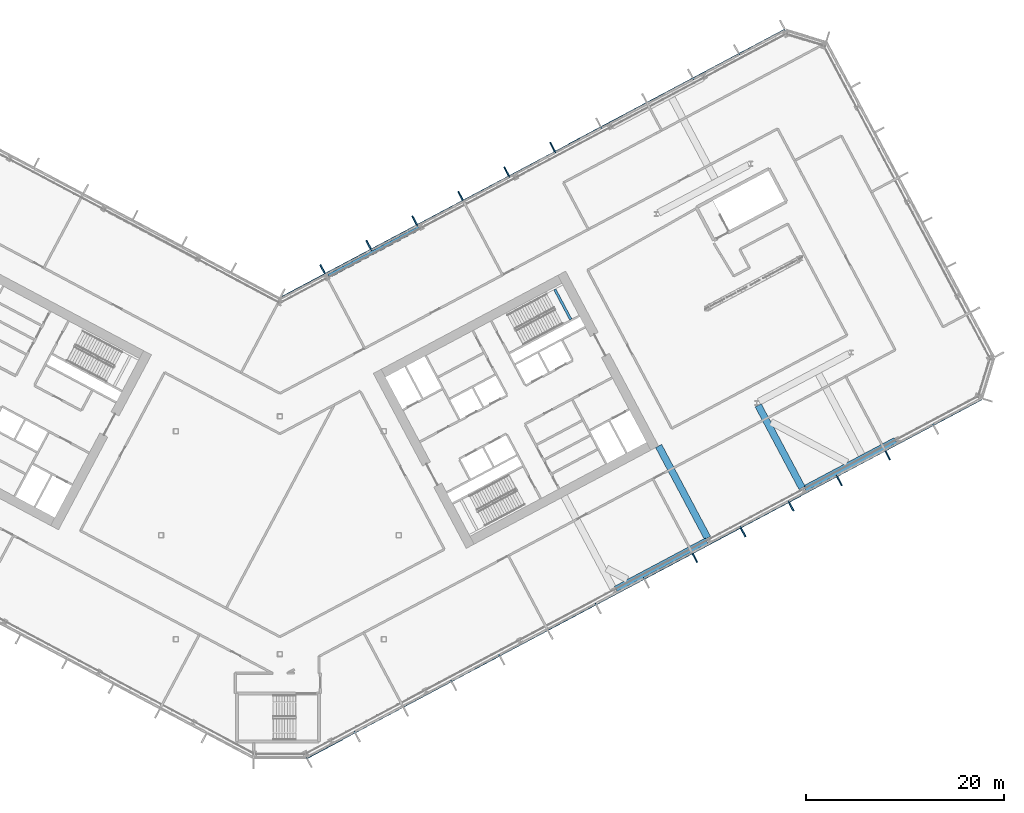
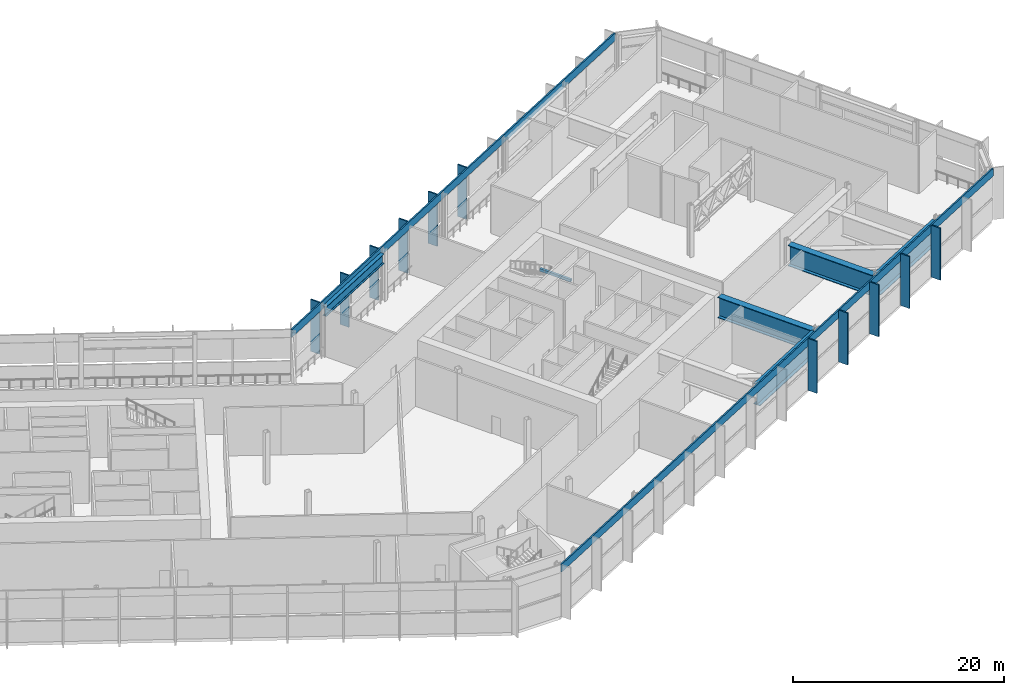
# One storey, part 8 of 33: 13 members, 6 beams, 2 elements without a shape of their own.
"""IFC4 building model written with IfcOpenShell, lengths in metres."""

from ifc_helpers import new_model, si_unit, direction, frame, origin, origin_2d, place, context, subcontext, project, spatial, rectangle, i_section, extrude, material, layer, layer_set, material_profile, profile_set, type_object, element, aggregate, save


model = new_model("IFC4")

# Units and contexts
model_context = context("Model", 3, precision=1e-05, world=origin(), true_north=direction((0.0, 1.0)))
body_context = subcontext(model_context, "Body", "Model", "MODEL_VIEW")
ifc_project = project(units=[si_unit("LENGTHUNIT", "METRE"), si_unit("AREAUNIT", "SQUARE_METRE"), si_unit("VOLUMEUNIT", "CUBIC_METRE"), si_unit("PLANEANGLEUNIT", "RADIAN"), si_unit("MASSUNIT", "GRAM", prefix="KILO")], contexts=[model_context])

# Site, building, storey
site_placement = place(None, origin())
site = spatial("IfcSite", under=ifc_project, at=site_placement, CompositionType="ELEMENT")
building_placement = place(site_placement, origin())
building = spatial("IfcBuilding", under=site, at=building_placement, Name="Cormorant Relay Tower", CompositionType="ELEMENT")
storey_placement = place(building_placement, frame((0.0, 0.0, 112.199951171875)))
storey = spatial("IfcBuildingStorey", under=building, at=storey_placement, Name="L22", CompositionType="ELEMENT", Elevation=112.199951171875)

# Curtain wall, members
ifc_material_1 = material(Name="Aluminium 6063-T6 anodised bronze", Category="aluminium")
ifc_layer = layer(ifc_material_1, 0.199951171875)
ifc_layer_set = layer_set([ifc_layer], Name="CW4 band louvre wall")
curtain_wall_type = type_object("IfcCurtainWallType", Name="CW4 band louvre wall", PredefinedType="NOTDEFINED", material=ifc_layer_set)
curtain_wall_1_placement = place(storey_placement, origin())
curtain_wall_1 = element("IfcCurtainWall", 1, at=curtain_wall_1_placement, inside=storey, type_object=curtain_wall_type, Name="CW4 curtain wall 2", PredefinedType="NOTDEFINED")
ifc_material_2 = material(Name="Aluminium 6063-T6 anodised bronze", Category="aluminium")
ifc_material_profile_1 = material_profile(ifc_material_2, rectangle(XDim=0.14990234375, YDim=1.0, at=origin_2d()), Name="AL 150x1000")
ifc_profile_set_1 = profile_set([ifc_material_profile_1], Name="Aluminium 6063-T6 anodised bronze")
member_type_1 = type_object("IfcMemberType", Name="CW4 bronze fin mullion 150 x 1000", PredefinedType="MULLION", material=ifc_profile_set_1)
member_1_placement = place(storey_placement, frame((41.910888671875, -2.29248046875, 0.0), z_axis=(0.0, 0.0, 1.0), x_axis=(0.882947592859, 0.469471562786, 0.0)))
member_1 = element("IfcMember", 2, at=member_1_placement, type_object=member_type_1, Name="CW4 fin 2.9", PredefinedType="MULLION", context=body_context, shape_type="SweptSolid", body=[
    extrude(rectangle(XDim=0.14990234375, YDim=1.0, at=origin_2d()), origin(), (0.0, 0.0, 1.0), 6.0),
])
member_2_placement = place(storey_placement, frame((46.777587890625, 0.29541015625, 0.0), z_axis=(0.0, 0.0, 1.0), x_axis=(0.882947592859, 0.469471562786, 0.0)))
member_2 = element("IfcMember", 3, at=member_2_placement, type_object=member_type_1, Name="CW4 fin 2.10", PredefinedType="MULLION", context=body_context, shape_type="SweptSolid", body=[
    extrude(rectangle(XDim=0.14990234375, YDim=1.0, at=origin_2d()), origin(), (0.0, 0.0, 1.0), 6.0),
])
member_3_placement = place(storey_placement, frame((51.644287109375, 2.8828125, 0.0), z_axis=(0.0, 0.0, 1.0), x_axis=(0.882947592859, 0.469471562786, 0.0)))
member_3 = element("IfcMember", 4, at=member_3_placement, type_object=member_type_1, Name="CW4 fin 2.11", PredefinedType="MULLION", context=body_context, shape_type="SweptSolid", body=[
    extrude(rectangle(XDim=0.14990234375, YDim=1.0, at=origin_2d()), origin(), (0.0, 0.0, 1.0), 6.0),
])
member_4_placement = place(storey_placement, frame((56.510986328125, 5.470703125, 0.0), z_axis=(0.0, 0.0, 1.0), x_axis=(0.882947592859, 0.469471562786, 0.0)))
member_4 = element("IfcMember", 5, at=member_4_placement, type_object=member_type_1, Name="CW4 fin 2.12", PredefinedType="MULLION", context=body_context, shape_type="SweptSolid", body=[
    extrude(rectangle(XDim=0.14990234375, YDim=1.0, at=origin_2d()), origin(), (0.0, 0.0, 1.0), 6.0),
])
member_5_placement = place(storey_placement, frame((61.377685546875, 8.058349609375, 0.0), z_axis=(0.0, 0.0, 1.0), x_axis=(0.882947592859, 0.469471562786, 0.0)))
member_5 = element("IfcMember", 6, at=member_5_placement, type_object=member_type_1, Name="CW4 fin 2.13", PredefinedType="MULLION", context=body_context, shape_type="SweptSolid", body=[
    extrude(rectangle(XDim=0.14990234375, YDim=1.0, at=origin_2d()), origin(), (0.0, 0.0, 1.0), 6.0),
])

curtain_wall_2_placement = place(storey_placement, origin())
curtain_wall_2 = element("IfcCurtainWall", 7, at=curtain_wall_2_placement, inside=storey, type_object=curtain_wall_type, Name="CW4 curtain wall 6", PredefinedType="NOTDEFINED")
member_6_placement = place(storey_placement, frame((27.524658203125, 39.2119140625, 0.0), z_axis=(0.0, 0.0, 1.0), x_axis=(-0.882947592859, -0.469471562786, 0.0)))
member_6 = element("IfcMember", 8, at=member_6_placement, type_object=member_type_1, Name="CW4 fin 6.6", PredefinedType="MULLION", context=body_context, shape_type="SweptSolid", body=[
    extrude(rectangle(XDim=0.14990234375, YDim=1.0, at=origin_2d()), origin(), (0.0, 0.0, 1.0), 6.0),
])
member_7_placement = place(storey_placement, frame((22.882568359375, 36.74365234375, 0.0), z_axis=(0.0, 0.0, 1.0), x_axis=(-0.882947592859, -0.469471562786, 0.0)))
member_7 = element("IfcMember", 9, at=member_7_placement, type_object=member_type_1, Name="CW4 fin 6.7", PredefinedType="MULLION", context=body_context, shape_type="SweptSolid", body=[
    extrude(rectangle(XDim=0.14990234375, YDim=1.0, at=origin_2d()), origin(), (0.0, 0.0, 1.0), 6.0),
])
member_8_placement = place(storey_placement, frame((18.240234375, 34.275390625, 0.0), z_axis=(0.0, 0.0, 1.0), x_axis=(-0.882947592859, -0.469471562786, 0.0)))
member_8 = element("IfcMember", 10, at=member_8_placement, type_object=member_type_1, Name="CW4 fin 6.8", PredefinedType="MULLION", context=body_context, shape_type="SweptSolid", body=[
    extrude(rectangle(XDim=0.14990234375, YDim=1.0, at=origin_2d()), origin(), (0.0, 0.0, 1.0), 6.0),
])
member_9_placement = place(storey_placement, frame((13.597900390625, 31.806884765625, 0.0), z_axis=(0.0, 0.0, 1.0), x_axis=(-0.882947592859, -0.469471562786, 0.0)))
member_9 = element("IfcMember", 11, at=member_9_placement, type_object=member_type_1, Name="CW4 fin 6.9", PredefinedType="MULLION", context=body_context, shape_type="SweptSolid", body=[
    extrude(rectangle(XDim=0.14990234375, YDim=1.0, at=origin_2d()), origin(), (0.0, 0.0, 1.0), 6.0),
])
member_10_placement = place(storey_placement, frame((8.955810546875, 29.338623046875, 0.0), z_axis=(0.0, 0.0, 1.0), x_axis=(-0.882947592859, -0.469471562786, 0.0)))
member_10 = element("IfcMember", 12, at=member_10_placement, type_object=member_type_1, Name="CW4 fin 6.10", PredefinedType="MULLION", context=body_context, shape_type="SweptSolid", body=[
    extrude(rectangle(XDim=0.14990234375, YDim=1.0, at=origin_2d()), origin(), (0.0, 0.0, 1.0), 6.0),
])
member_11_placement = place(storey_placement, frame((4.313720703125, 26.870361328125, 0.0), z_axis=(0.0, 0.0, 1.0), x_axis=(-0.882947592859, -0.469471562786, 0.0)))
member_11 = element("IfcMember", 13, at=member_11_placement, type_object=member_type_1, Name="CW4 fin 6.11", PredefinedType="MULLION", context=body_context, shape_type="SweptSolid", body=[
    extrude(rectangle(XDim=0.14990234375, YDim=1.0, at=origin_2d()), origin(), (0.0, 0.0, 1.0), 6.0),
])

# Member
ifc_material_3 = material(Name="Aluminium 6063-T6 anodised bronze", Category="aluminium")
ifc_material_profile_2 = material_profile(ifc_material_3, rectangle(XDim=0.159912109375, YDim=0.89990234375, at=origin_2d()), Name="AL 160x900")
ifc_profile_set_2 = profile_set([ifc_material_profile_2], Name="Aluminium 6063-T6 anodised bronze")
member_type_2 = type_object("IfcMemberType", Name="CW4 bronze transom 160 x 900", PredefinedType="USERDEFINED", material=ifc_profile_set_2)
member_12_placement = place(storey_placement, frame((2.705078125, -22.4814453125, 5.550048828125), z_axis=(0.882948654677, 0.46946956579, 0.0), x_axis=(-0.46946956579, 0.882948654677, 0.0)))
member_12 = element("IfcMember", 14, at=member_12_placement, type_object=member_type_2, Name="CW4 transom 2", ObjectType="TRANSOM", PredefinedType="USERDEFINED", context=body_context, shape_type="SweptSolid", body=[
    extrude(rectangle(XDim=0.159912109375, YDim=0.89990234375, at=origin_2d()), origin(), (0.0, 0.0, 1.0), 77.166015625),
])

aggregate(curtain_wall_1, [member_1, member_2, member_3, member_4, member_5, member_12])

member_13_placement = place(storey_placement, frame((51.008056640625, 51.04150390625, 5.550048828125), z_axis=(-0.882946446228, -0.469473719279, 0.0), x_axis=(0.469473719279, -0.882946446228, 0.0)))
member_13 = element("IfcMember", 15, at=member_13_placement, type_object=member_type_2, Name="CW4 transom 6", ObjectType="TRANSOM", PredefinedType="USERDEFINED", context=body_context, shape_type="SweptSolid", body=[
    extrude(rectangle(XDim=0.159912109375, YDim=0.89990234375, at=origin_2d()), origin(), (0.0, 0.0, 1.0), 57.834228515625),
])

aggregate(curtain_wall_2, [member_6, member_7, member_8, member_9, member_10, member_11, member_13])

# Beams
ifc_material_4 = material(Name="Steel ASTM A992 (Fy 345 MPa)", Category="steel")
ifc_material_profile_3 = material_profile(ifc_material_4, i_section(OverallWidth=0.40380859375, OverallDepth=1.11767578125, WebThickness=0.026123046875, FlangeThickness=0.044921875, FilletRadius=0.02001953125, at=origin_2d()), Name="W1100x499")
ifc_profile_set_3 = profile_set([ifc_material_profile_3], Name="Steel ASTM A992 (Fy 345 MPa)")
beam_type_1 = type_object("IfcBeamType", Name="Spandrel W1100x499", PredefinedType="SPANDREL", material=ifc_profile_set_3)
beam_1_placement = place(storey_placement, frame((14.06494140625, 31.03369140625, 4.9912109375), z_axis=(-0.882946891921, -0.469472881056, 0.0), x_axis=(0.469472881056, -0.882946891921, 0.0)))
element("IfcBeam", 16, at=beam_1_placement, inside=storey, type_object=beam_type_1, Name="Spandrel beam L22-005", PredefinedType="SPANDREL", context=body_context, shape_type="SweptSolid", body=[
    extrude(i_section(OverallWidth=0.40380859375, OverallDepth=1.11767578125, WebThickness=0.026123046875, FlangeThickness=0.044921875, FilletRadius=0.02001953125, at=origin_2d()), origin(), (0.0, 0.0, 1.0), 10.376220703125),
])
ifc_material_5 = material(Name="Concrete 50 MPa", Category="concrete")
ifc_material_profile_4 = material_profile(ifc_material_5, rectangle(XDim=0.25, YDim=0.300048828125, at=origin_2d()), Name="RC 250x300")
ifc_profile_set_4 = profile_set([ifc_material_profile_4], Name="Concrete 50 MPa")
beam_type_2 = type_object("IfcBeamType", Name="Stair landing ledge beam 250x300", PredefinedType="BEAM", material=ifc_profile_set_4)
beam_2_placement = place(storey_placement, frame((29.373291015625, 21.79052734375, 2.650146484375), z_axis=(-0.469519084434, 0.88292232351, 0.0), x_axis=(-0.88292232351, -0.469519084434, 0.0)))
element("IfcBeam", 17, at=beam_2_placement, inside=storey, type_object=beam_type_2, Name="B2 landing ledge beam", PredefinedType="BEAM", context=body_context, shape_type="SweptSolid", body=[
    extrude(rectangle(XDim=0.25, YDim=0.300048828125, at=origin_2d()), origin(), (0.0, 0.0, 1.0), 3.449951171875),
])
ifc_material_6 = material(Name="Steel ASTM A572 Grade 50 (Fy 345 MPa)", Category="steel")
ifc_material_profile_5 = material_profile(ifc_material_6, i_section(OverallWidth=0.699951171875, OverallDepth=2.39990234375, WebThickness=0.030029296875, FlangeThickness=0.070068359375, at=origin_2d()), Name="PG2400x700")
ifc_profile_set_5 = profile_set([ifc_material_profile_5], Name="Steel ASTM A572 Grade 50 (Fy 345 MPa)")
beam_type_3 = type_object("IfcBeamType", Name="Transfer girder PG2400x700", PredefinedType="BEAM", material=ifc_profile_set_5)
beam_3_placement = place(storey_placement, frame((33.94921875, -5.46044921875, 4.35009765625), z_axis=(0.882961212646, 0.469445946795, 0.0), x_axis=(-0.469445946795, 0.882961212646, 0.0)))
element("IfcBeam", 18, at=beam_3_placement, inside=storey, type_object=beam_type_3, Name="Transfer girder L22-03", PredefinedType="BEAM", context=body_context, shape_type="SweptSolid", body=[
    extrude(i_section(OverallWidth=0.699951171875, OverallDepth=2.39990234375, WebThickness=0.030029296875, FlangeThickness=0.070068359375, at=origin_2d()), origin(), (0.0, 0.0, 1.0), 10.375732421875),
])
beam_4_placement = place(storey_placement, frame((43.1865234375, -0.2802734375, 4.35009765625), z_axis=(-0.469467901346, 0.882949539671, 0.0), x_axis=(-0.882949539671, -0.469467901346, 0.0)))
element("IfcBeam", 19, at=beam_4_placement, inside=storey, type_object=beam_type_3, Name="Transfer girder L22-05", PredefinedType="BEAM", context=body_context, shape_type="SweptSolid", body=[
    extrude(i_section(OverallWidth=0.699951171875, OverallDepth=2.39990234375, WebThickness=0.030029296875, FlangeThickness=0.070068359375, at=origin_2d()), origin(), (0.0, 0.0, 1.0), 10.5224609375),
])
beam_5_placement = place(storey_placement, frame((52.722412109375, 4.789794921875, 4.35009765625), z_axis=(-0.469479458916, 0.882943394367, 0.0), x_axis=(-0.882943394367, -0.469479458916, 0.0)))
element("IfcBeam", 20, at=beam_5_placement, inside=storey, type_object=beam_type_3, Name="Transfer girder L22-07", PredefinedType="BEAM", context=body_context, shape_type="SweptSolid", body=[
    extrude(i_section(OverallWidth=0.699951171875, OverallDepth=2.39990234375, WebThickness=0.030029296875, FlangeThickness=0.070068359375, at=origin_2d()), origin(), (0.0, 0.0, 1.0), 9.431640625),
])
beam_6_placement = place(storey_placement, frame((53.021240234375, 4.6796875, 4.35009765625), z_axis=(0.88292219843, 0.469519319645, 0.0), x_axis=(-0.469519319645, 0.88292219843, 0.0)))
element("IfcBeam", 21, at=beam_6_placement, inside=storey, type_object=beam_type_3, Name="Transfer girder L22-09", PredefinedType="BEAM", context=body_context, shape_type="SweptSolid", body=[
    extrude(i_section(OverallWidth=0.699951171875, OverallDepth=2.39990234375, WebThickness=0.030029296875, FlangeThickness=0.070068359375, at=origin_2d()), origin(), (0.0, 0.0, 1.0), 10.376220703125),
])

save(model, "model.ifc")
